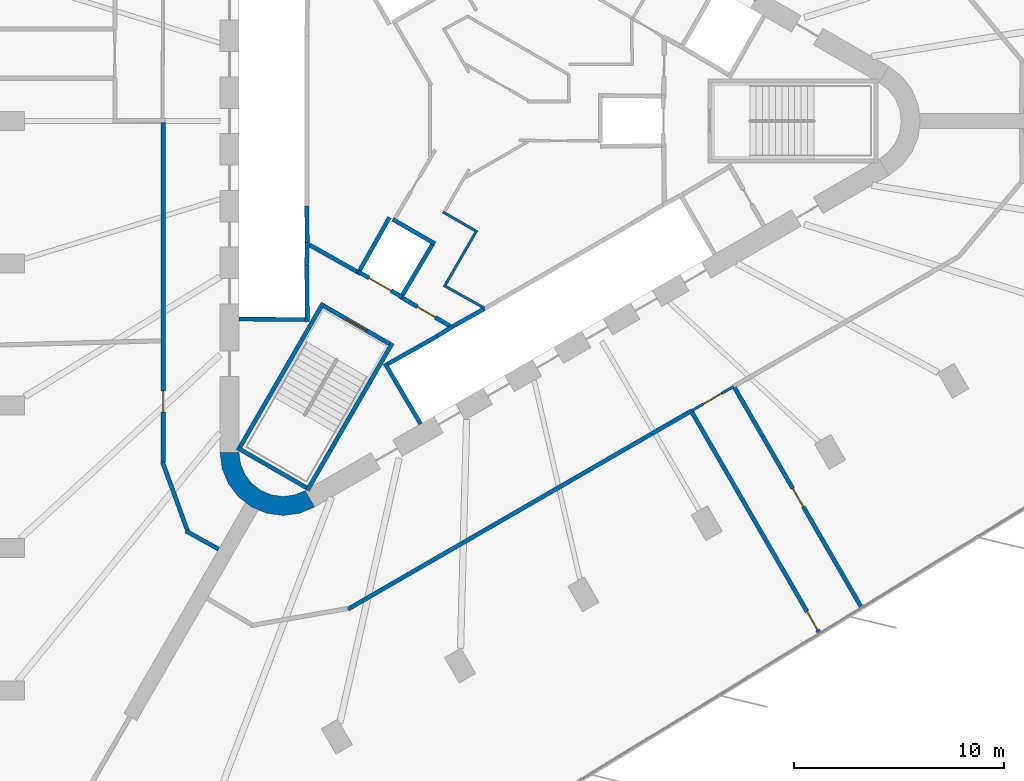
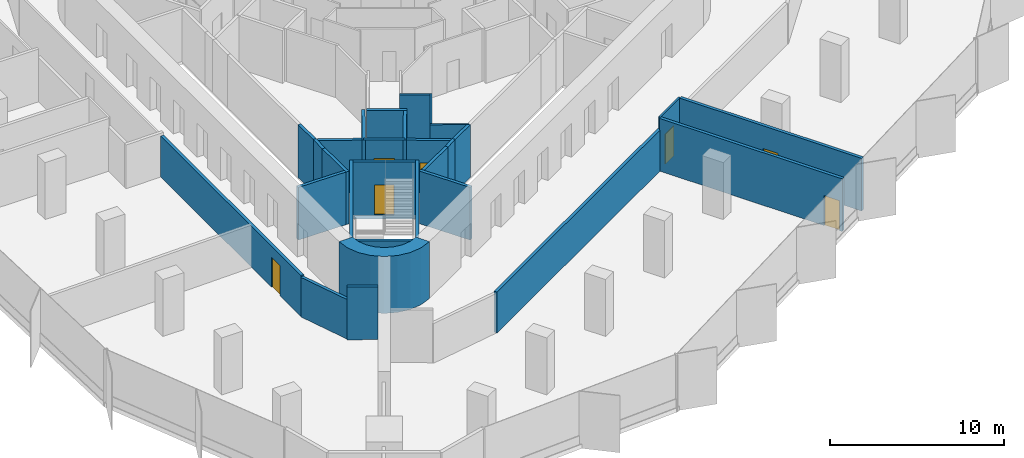
# One storey, part 8 of 14: 29 walls, 7 doors, 7 openings.
"""IFC4 building model written with IfcOpenShell, lengths in metres."""

from ifc_helpers import new_model, si_unit, direction, frame, frame_2d, origin, place, context, subcontext, project, spatial, polyline, rectangle, outline, extrude, material, layer, layer_set, type_object, element, fill, save


model = new_model("IFC4")

# Units and contexts
model_context = context("Model", 3, precision=1e-05, world=origin(), true_north=direction((0.0, 1.0)))
body_context = subcontext(model_context, "Body", "Model", "MODEL_VIEW")
ifc_project = project(units=[si_unit("LENGTHUNIT", "METRE"), si_unit("AREAUNIT", "SQUARE_METRE"), si_unit("VOLUMEUNIT", "CUBIC_METRE"), si_unit("PLANEANGLEUNIT", "RADIAN"), si_unit("MASSUNIT", "GRAM", prefix="KILO")], contexts=[model_context])

# Site, building, storey
site_placement = place(None, origin())
site = spatial("IfcSite", under=ifc_project, at=site_placement, CompositionType="ELEMENT")
building_placement = place(site_placement, origin())
building = spatial("IfcBuilding", under=site, at=building_placement, Name="Tanit Gate Tower", CompositionType="ELEMENT")
storey_placement = place(building_placement, frame((0.0, 0.0, 221.199951171875)))
storey = spatial("IfcBuildingStorey", under=building, at=storey_placement, Name="L49", CompositionType="ELEMENT", Elevation=221.199951171875)

# Walls
ifc_material_1 = material(Name="Concrete C50/60", Category="concrete")
ifc_layer_1 = layer(ifc_material_1, 0.89990234375)
ifc_layer_set_1 = layer_set([ifc_layer_1], Name="CORE WALL 900 C50/60")
wall_type_1 = type_object("IfcWallType", Name="CORE WALL 900 C50/60", PredefinedType="SHEAR", material=ifc_layer_set_1)
wall_1_placement = place(storey_placement, origin())
element("IfcWall", 1, at=wall_1_placement, inside=storey, type_object=wall_type_1, Name="CORE WALL CORNER", PredefinedType="SHEAR", context=body_context, shape_type="SweptSolid", body=[
    extrude(outline(polyline([(-12.10009765625, -15.76171875), (-11.997802734375, -16.5380859375), (-11.697998046875, -17.26171875), (-11.22119140625, -17.883056640625), (-10.60009765625, -18.359619140625), (-9.87646484375, -18.659423828125), (-9.10009765625, -18.76171875), (-8.323486328125, -18.659423828125), (-7.60009765625, -18.359619140625), (-8.050048828125, -17.580322265625), (-8.556396484375, -17.7900390625), (-9.10009765625, -17.86181640625), (-9.6435546875, -17.7900390625), (-10.14990234375, -17.580322265625), (-10.5849609375, -17.24658203125), (-10.918701171875, -16.811767578125), (-11.12841796875, -16.30517578125), (-11.199951171875, -15.76171875), (-12.10009765625, -15.76171875)])), origin(), (0.0, 0.0, 1.0), 4.0),
])
ifc_material_2 = material(Name="Fire-rated gypsum board partition")
ifc_layer_2 = layer(ifc_material_2, 0.199951171875)
ifc_layer_set_2 = layer_set([ifc_layer_2], Name="INT-WALL-COMPARTMENT")
wall_type_2 = type_object("IfcWallType", Name="INT-WALL-COMPARTMENT", PredefinedType="PARTITIONING", material=ifc_layer_set_2)
wall_2_placement = place(storey_placement, frame((-7.84912109375, -5.893798828125, 0.0), z_axis=(0.0, 0.0, 1.0), x_axis=(0.871340486379, -0.490678873396, 0.0)))
element("IfcWall", 2, at=wall_2_placement, inside=storey, type_object=wall_type_2, Name="Wall Compartment W064", PredefinedType="PARTITIONING", context=body_context, shape_type="SweptSolid", body=[
    extrude(rectangle(XDim=2.580810546875, YDim=0.199951171875, at=frame_2d((1.29052734375, 0.0))), origin(), (0.0, 0.0, 1.0), 3.699951171875),
])

# Wall, opening, door
wall_3_placement = place(storey_placement, frame((-3.400634765625, -8.43017578125, 0.0), z_axis=(0.0, 0.0, 1.0), x_axis=(0.860598681535, -0.509283721849, 0.0)))
wall_3 = element("IfcWall", 3, at=wall_3_placement, inside=storey, type_object=wall_type_2, Name="Wall Compartment W065", PredefinedType="PARTITIONING", context=body_context, shape_type="SweptSolid", body=[
    extrude(rectangle(XDim=2.5810546875, YDim=0.199951171875, at=frame_2d((1.29052734375, 0.0))), origin(), (0.0, 0.0, 1.0), 3.699951171875),
])
opening_1_placement = place(wall_3_placement, frame((0.79052734375, 0.0, 0.0)))
opening_1 = element("IfcOpeningElement", 4, at=opening_1_placement, cuts=wall_3, Name="Opening F10-S13-08", PredefinedType="OPENING", context=body_context, shape_type="SweptSolid", body=[
    extrude(rectangle(XDim=1.0, YDim=2.10009765625, at=frame_2d((0.5, 1.050048828125))), frame((0.0, 0.10986328125, 0.0), z_axis=(0.0, -1.0, 0.0), x_axis=(1.0, 0.0, 0.0)), (0.0, 0.0, 1.0), 0.219970703125),
])
ifc_material_3 = material(Name="Fire-rated steel door leaf", Category="steel")
door_type_1 = type_object("IfcDoorType", Name="INT-DOOR-FIRE-1000", OperationType="NOTDEFINED", PredefinedType="USERDEFINED", material=ifc_material_3)
door_1_placement = place(opening_1_placement, origin())
door_1 = element("IfcDoor", 5, at=door_1_placement, inside=storey, type_object=door_type_1, Name="Door F10-S13-08", ObjectType="FIRE DOOR", OperationType="SINGLE_SWING_LEFT", OverallHeight=2.10009765625, OverallWidth=1.0, PredefinedType="USERDEFINED", context=body_context, shape_type="SweptSolid", body=[
    extrude(rectangle(XDim=1.0, YDim=2.10009765625, at=frame_2d((0.5, 1.050048828125))), frame((0.0, 0.02490234375, 0.0), z_axis=(0.0, -1.0, 0.0), x_axis=(1.0, 0.0, 0.0)), (0.0, 0.0, 1.0), 0.050048828125),
])
fill(opening_1, door_1)

# Walls
wall_4_placement = place(storey_placement, frame((-13.722412109375, -19.499267578125, 0.0), z_axis=(0.0, 0.0, 1.0), x_axis=(0.873381780332, -0.487036205824, 0.0)))
element("IfcWall", 6, at=wall_4_placement, inside=storey, type_object=wall_type_2, Name="Wall Compartment W097", PredefinedType="PARTITIONING", context=body_context, shape_type="SweptSolid", body=[
    extrude(rectangle(XDim=1.78466796875, YDim=0.199951171875, at=frame_2d((0.892333984375, 0.0))), origin(), (0.0, 0.0, 1.0), 3.699951171875),
])
wall_5_placement = place(storey_placement, frame((-14.834228515625, -16.22314453125, 0.0), z_axis=(0.0, 0.0, 1.0), x_axis=(0.342017717312, -0.939693503779, 0.0)))
element("IfcWall", 7, at=wall_5_placement, inside=storey, type_object=wall_type_2, Name="Wall Compartment W098", PredefinedType="PARTITIONING", context=body_context, shape_type="SweptSolid", body=[
    extrude(rectangle(XDim=3.4970703125, YDim=0.199951171875, at=frame_2d((1.74853515625, 0.0))), origin(), (0.0, 0.0, 1.0), 2.780029296875),
])

# Wall, opening, door
wall_6_placement = place(storey_placement, frame((-14.800048828125, -0.070068359375, 0.0), z_axis=(0.0, 0.0, 1.0), x_axis=(0.0, -1.0, 0.0)))
wall_6 = element("IfcWall", 8, at=wall_6_placement, inside=storey, type_object=wall_type_2, Name="Wall Compartment W100", PredefinedType="PARTITIONING", context=body_context, shape_type="SweptSolid", body=[
    extrude(rectangle(XDim=16.14697265625, YDim=0.199951171875, at=frame_2d((8.073486328125, 0.0))), origin(), (0.0, 0.0, 1.0), 2.880126953125),
])
opening_2_placement = place(wall_6_placement, frame((12.765380859375, 0.0, 0.0)))
opening_2 = element("IfcOpeningElement", 9, at=opening_2_placement, cuts=wall_6, Name="Opening F10-S13-26", PredefinedType="OPENING", context=body_context, shape_type="SweptSolid", body=[
    extrude(rectangle(XDim=1.0, YDim=2.10009765625, at=frame_2d((0.5, 1.050048828125))), frame((0.0, 0.10986328125, 0.0), z_axis=(0.0, -1.0, 0.0), x_axis=(1.0, 0.0, 0.0)), (0.0, 0.0, 1.0), 0.219970703125),
])
door_2_placement = place(opening_2_placement, origin())
door_2 = element("IfcDoor", 10, at=door_2_placement, inside=storey, type_object=door_type_1, Name="Door F10-S13-26", ObjectType="FIRE DOOR", OperationType="SINGLE_SWING_RIGHT", OverallHeight=2.10009765625, OverallWidth=1.0, PredefinedType="USERDEFINED", context=body_context, shape_type="SweptSolid", body=[
    extrude(rectangle(XDim=1.0, YDim=2.10009765625, at=frame_2d((0.5, 1.050048828125))), frame((0.0, 0.02490234375, 0.0), z_axis=(0.0, -1.0, 0.0), x_axis=(1.0, 0.0, 0.0)), (0.0, 0.0, 1.0), 0.050048828125),
])
fill(opening_2, door_2)

# Wall
wall_7_placement = place(storey_placement, frame((-6.018798828125, -23.220458984375, 0.0), z_axis=(0.0, 0.0, 1.0), x_axis=(0.86602143297, 0.50000687759, 0.0)))
element("IfcWall", 11, at=wall_7_placement, inside=storey, type_object=wall_type_2, Name="Wall Compartment W113", PredefinedType="PARTITIONING", context=body_context, shape_type="SweptSolid", body=[
    extrude(rectangle(XDim=18.872802734375, YDim=0.199951171875, at=frame_2d((9.4365234375, 0.0))), origin(), (0.0, 0.0, 1.0), 2.880126953125),
])

# Wall, opening, door
wall_8_placement = place(storey_placement, frame((18.41162109375, -23.149658203125, 0.0), z_axis=(0.0, 0.0, 1.0), x_axis=(-0.500010196161, 0.866019516948, 0.0)))
wall_8 = element("IfcWall", 12, at=wall_8_placement, inside=storey, type_object=wall_type_2, Name="Wall Compartment W134", PredefinedType="PARTITIONING", context=body_context, shape_type="SweptSolid", body=[
    extrude(rectangle(XDim=12.093994140625, YDim=0.199951171875, at=frame_2d((6.046875, 0.0))), origin(), (0.0, 0.0, 1.0), 3.699951171875),
])
opening_3_placement = place(wall_8_placement, frame((5.547119140625, 0.0, 0.0)))
opening_3 = element("IfcOpeningElement", 13, at=opening_3_placement, cuts=wall_8, Name="Opening F10-S13-32", PredefinedType="OPENING", context=body_context, shape_type="SweptSolid", body=[
    extrude(rectangle(XDim=1.0, YDim=2.10009765625, at=frame_2d((0.5, 1.050048828125))), frame((0.0, 0.10986328125, 0.0), z_axis=(0.0, -1.0, 0.0), x_axis=(1.0, 0.0, 0.0)), (0.0, 0.0, 1.0), 0.219970703125),
])
door_3_placement = place(opening_3_placement, origin())
door_3 = element("IfcDoor", 14, at=door_3_placement, inside=storey, type_object=door_type_1, Name="Door F10-S13-32", ObjectType="FIRE DOOR", OperationType="SINGLE_SWING_LEFT", OverallHeight=2.10009765625, OverallWidth=1.0, PredefinedType="USERDEFINED", context=body_context, shape_type="SweptSolid", body=[
    extrude(rectangle(XDim=1.0, YDim=2.10009765625, at=frame_2d((0.5, 1.050048828125))), frame((0.0, 0.02490234375, 0.0), z_axis=(0.0, -1.0, 0.0), x_axis=(1.0, 0.0, 0.0)), (0.0, 0.0, 1.0), 0.050048828125),
])
fill(opening_3, door_3)

wall_9_placement = place(storey_placement, frame((10.338134765625, -13.845947265625, 0.0), z_axis=(0.0, 0.0, 1.0), x_axis=(0.499990787361, -0.866030722639, 0.0)))
wall_9 = element("IfcWall", 15, at=wall_9_placement, inside=storey, type_object=wall_type_2, Name="Wall Compartment W135", PredefinedType="PARTITIONING", context=body_context, shape_type="SweptSolid", body=[
    extrude(rectangle(XDim=12.155029296875, YDim=0.199951171875, at=frame_2d((6.07763671875, 0.0))), origin(), (0.0, 0.0, 1.0), 3.699951171875),
])
opening_4_placement = place(wall_9_placement, frame((10.955078125, 0.0, 0.0)))
opening_4 = element("IfcOpeningElement", 16, at=opening_4_placement, cuts=wall_9, Name="Opening F10-S13-33", PredefinedType="OPENING", context=body_context, shape_type="SweptSolid", body=[
    extrude(rectangle(XDim=1.0, YDim=2.10009765625, at=frame_2d((0.5, 1.050048828125))), frame((0.0, 0.10986328125, 0.0), z_axis=(0.0, -1.0, 0.0), x_axis=(1.0, 0.0, 0.0)), (0.0, 0.0, 1.0), 0.219970703125),
])
door_4_placement = place(opening_4_placement, origin())
door_4 = element("IfcDoor", 17, at=door_4_placement, inside=storey, type_object=door_type_1, Name="Door F10-S13-33", ObjectType="FIRE DOOR", OperationType="SINGLE_SWING_RIGHT", OverallHeight=2.10009765625, OverallWidth=1.0, PredefinedType="USERDEFINED", context=body_context, shape_type="SweptSolid", body=[
    extrude(rectangle(XDim=1.0, YDim=2.10009765625, at=frame_2d((0.5, 1.050048828125))), frame((0.0, 0.02490234375, 0.0), z_axis=(0.0, -1.0, 0.0), x_axis=(1.0, 0.0, 0.0)), (0.0, 0.0, 1.0), 0.050048828125),
])
fill(opening_4, door_4)

# Walls
ifc_material_4 = material(Name="Gypsum board partition")
ifc_layer_3 = layer(ifc_material_4, 0.1201171875)
ifc_layer_set_3 = layer_set([ifc_layer_3], Name="INT-WALL-PARTITION")
wall_type_3 = type_object("IfcWallType", Name="INT-WALL-PARTITION", PredefinedType="PARTITIONING", material=ifc_layer_set_3)
wall_10_placement = place(storey_placement, frame((-1.464111328125, -7.81591796875, 0.0), z_axis=(0.0, 0.0, 1.0), x_axis=(0.871880202732, -0.489719217597, 0.0)))
element("IfcWall", 18, at=wall_10_placement, inside=storey, type_object=wall_type_3, Name="Wall Partition W069", PredefinedType="PARTITIONING", context=body_context, shape_type="SweptSolid", body=[
    extrude(rectangle(XDim=2.224365234375, YDim=0.1201171875, at=frame_2d((1.1123046875, 0.0))), origin(), (0.0, 0.0, 1.0), 3.699951171875),
])
wall_11_placement = place(storey_placement, frame((0.1181640625, -5.195068359375, 0.0), z_axis=(0.0, 0.0, 1.0), x_axis=(-0.499990139034, -0.866031096941, 0.0)))
element("IfcWall", 19, at=wall_11_placement, inside=storey, type_object=wall_type_3, Name="Wall Partition W070", PredefinedType="PARTITIONING", context=body_context, shape_type="SweptSolid", body=[
    extrude(rectangle(XDim=3.0, YDim=0.1201171875, at=frame_2d((1.5, 0.0))), origin(), (0.0, 0.0, 1.0), 3.699951171875),
])
wall_12_placement = place(storey_placement, frame((-1.5009765625, -4.32958984375, 0.0), z_axis=(0.0, 0.0, 1.0), x_axis=(0.866059624469, -0.499940723351, 0.0)))
element("IfcWall", 20, at=wall_12_placement, inside=storey, type_object=wall_type_3, Name="Wall Partition W071", PredefinedType="PARTITIONING", context=body_context, shape_type="SweptSolid", body=[
    extrude(rectangle(XDim=1.775146484375, YDim=0.1201171875, at=frame_2d((0.8876953125, 0.0))), origin(), (0.0, 0.0, 1.0), 3.699951171875),
])

# Wall, opening, door
wall_13_placement = place(storey_placement, frame((12.317138671875, -12.634033203125, 0.0), z_axis=(0.0, 0.0, 1.0), x_axis=(-0.86602648383, -0.499998129301, 0.0)))
wall_13 = element("IfcWall", 21, at=wall_13_placement, inside=storey, type_object=wall_type_3, Name="Wall Partition W109", PredefinedType="PARTITIONING", context=body_context, shape_type="SweptSolid", body=[
    extrude(rectangle(XDim=2.2998046875, YDim=0.1201171875, at=frame_2d((1.14990234375, 0.0))), origin(), (0.0, 0.0, 1.0), 3.699951171875),
])
opening_5_placement = place(wall_13_placement, frame((0.64990234375, 0.0, 0.0)))
opening_5 = element("IfcOpeningElement", 22, at=opening_5_placement, cuts=wall_13, Name="Opening D10-S13-21", PredefinedType="OPENING", context=body_context, shape_type="SweptSolid", body=[
    extrude(rectangle(XDim=1.0, YDim=2.10009765625, at=frame_2d((0.5, 1.050048828125))), frame((0.0, 0.070068359375, 0.0), z_axis=(0.0, -1.0, 0.0), x_axis=(1.0, 0.0, 0.0)), (0.0, 0.0, 1.0), 0.14013671875),
])
ifc_material_5 = material(Name="Timber door leaf", Category="wood")
door_type_2 = type_object("IfcDoorType", Name="INT-DOOR-SINGLE-1000", OperationType="NOTDEFINED", PredefinedType="NOTDEFINED", material=ifc_material_5)
door_5_placement = place(opening_5_placement, origin())
door_5 = element("IfcDoor", 23, at=door_5_placement, inside=storey, type_object=door_type_2, Name="Door D10-S13-21", OperationType="SINGLE_SWING_LEFT", OverallHeight=2.10009765625, OverallWidth=1.0, PredefinedType="NOTDEFINED", context=body_context, shape_type="SweptSolid", body=[
    extrude(rectangle(XDim=1.0, YDim=2.10009765625, at=frame_2d((0.5, 1.050048828125))), frame((0.0, 0.02490234375, 0.0), z_axis=(0.0, -1.0, 0.0), x_axis=(1.0, 0.0, 0.0)), (0.0, 0.0, 1.0), 0.050048828125),
])
fill(opening_5, door_5)

# Walls
ifc_material_6 = material(Name="Gypsum shaft wall system")
ifc_layer_4 = layer(ifc_material_6, 0.199951171875)
ifc_layer_set_4 = layer_set([ifc_layer_4], Name="INT-WALL-SHAFT")
wall_type_4 = type_object("IfcWallType", Name="INT-WALL-SHAFT", PredefinedType="PLUMBINGWALL", material=ifc_layer_set_4)
wall_14_placement = place(storey_placement, frame((-7.949951171875, -5.7724609375, 0.0), z_axis=(0.0, 0.0, 1.0), x_axis=(-0.030803413295, -0.999525462272, 0.0)))
element("IfcWall", 24, at=wall_14_placement, inside=storey, type_object=wall_type_4, Name="Wall Shaft W008", PredefinedType="PLUMBINGWALL", context=body_context, shape_type="SweptSolid", body=[
    extrude(rectangle(XDim=1.077880859375, YDim=0.199951171875, at=frame_2d((0.5390625, 0.0))), origin(), (0.0, 0.0, 1.0), 3.699951171875),
])
wall_15_placement = place(storey_placement, frame((-7.97998046875, -4.050048828125, 0.0), z_axis=(0.0, 0.0, 1.0), x_axis=(0.016809909365, -0.999858703491, 0.0)))
element("IfcWall", 25, at=wall_15_placement, inside=storey, type_object=wall_type_4, Name="Wall Shaft W009", PredefinedType="PLUMBINGWALL", context=body_context, shape_type="SweptSolid", body=[
    extrude(rectangle(XDim=1.844482421875, YDim=0.199951171875, at=frame_2d((0.92236328125, 0.0))), origin(), (0.0, 0.0, 1.0), 3.699951171875),
])
wall_16_placement = place(storey_placement, frame((-7.97900390625, -6.85009765625, 0.0), z_axis=(0.0, 0.0, 1.0), x_axis=(0.011121475088, -0.999938154483, 0.0)))
element("IfcWall", 26, at=wall_16_placement, inside=storey, type_object=wall_type_4, Name="Wall Shaft W010", PredefinedType="PLUMBINGWALL", context=body_context, shape_type="SweptSolid", body=[
    extrude(rectangle(XDim=2.7001953125, YDim=0.199951171875, at=frame_2d((1.35009765625, 0.0))), origin(), (0.0, 0.0, 1.0), 3.699951171875),
])
wall_17_placement = place(storey_placement, frame((-8.050048828125, -9.448974609375, 0.0), z_axis=(0.0, 0.0, 1.0), x_axis=(-0.999957467379, 0.009222983926, 0.0)))
element("IfcWall", 27, at=wall_17_placement, inside=storey, type_object=wall_type_4, Name="Wall Shaft W011", PredefinedType="PLUMBINGWALL", context=body_context, shape_type="SweptSolid", body=[
    extrude(rectangle(XDim=3.150146484375, YDim=0.199951171875, at=frame_2d((1.5751953125, 0.0))), origin(), (0.0, 0.0, 1.0), 3.699951171875),
])
wall_18_placement = place(storey_placement, frame((-2.557861328125, -14.409423828125, 0.0), z_axis=(0.0, 0.0, 1.0), x_axis=(-0.507997497166, 0.861358544901, 0.0)))
element("IfcWall", 28, at=wall_18_placement, inside=storey, type_object=wall_type_4, Name="Wall Shaft W019", PredefinedType="PLUMBINGWALL", context=body_context, shape_type="SweptSolid", body=[
    extrude(rectangle(XDim=3.350341796875, YDim=0.199951171875, at=frame_2d((1.67529296875, 0.0))), origin(), (0.0, 0.0, 1.0), 3.699951171875),
])
wall_19_placement = place(storey_placement, frame((-1.7685546875, -10.23681640625, 0.0), z_axis=(0.0, 0.0, 1.0), x_axis=(-0.871534483978, -0.490334215854, 0.0)))
element("IfcWall", 29, at=wall_19_placement, inside=storey, type_object=wall_type_4, Name="Wall Shaft W020", PredefinedType="PLUMBINGWALL", context=body_context, shape_type="SweptSolid", body=[
    extrude(rectangle(XDim=2.7001953125, YDim=0.199951171875, at=frame_2d((1.35009765625, 0.0))), origin(), (0.0, 0.0, 1.0), 3.699951171875),
])
wall_20_placement = place(storey_placement, frame((-1.02392578125, -9.77099609375, 0.0), z_axis=(0.0, 0.0, 1.0), x_axis=(-0.850348075135, -0.526220629693, 0.0)))
element("IfcWall", 30, at=wall_20_placement, inside=storey, type_object=wall_type_4, Name="Wall Shaft W021", PredefinedType="PLUMBINGWALL", context=body_context, shape_type="SweptSolid", body=[
    extrude(rectangle(XDim=0.878173828125, YDim=0.199951171875, at=frame_2d((0.43896484375, 0.0))), origin(), (0.0, 0.0, 1.0), 3.699951171875),
])
wall_21_placement = place(storey_placement, frame((-1.13037109375, -9.83154296875, 0.0), z_axis=(0.0, 0.0, 1.0), x_axis=(0.871988740738, 0.489525929882, 0.0)))
element("IfcWall", 31, at=wall_21_placement, inside=storey, type_object=wall_type_4, Name="Wall Shaft W022", PredefinedType="PLUMBINGWALL", context=body_context, shape_type="SweptSolid", body=[
    extrude(rectangle(XDim=1.8447265625, YDim=0.199951171875, at=frame_2d((0.92236328125, 0.0))), origin(), (0.0, 0.0, 1.0), 3.699951171875),
])

# Wall, opening, door
wall_22_placement = place(storey_placement, frame((-3.44580078125, -8.3681640625, 0.0), z_axis=(0.0, 0.0, 1.0), x_axis=(-0.866024647952, 0.500001309137, 0.0)))
wall_22 = element("IfcWall", 32, at=wall_22_placement, inside=storey, type_object=wall_type_4, Name="Wall Shaft W045", PredefinedType="PLUMBINGWALL", context=body_context, shape_type="SweptSolid", body=[
    extrude(rectangle(XDim=2.39990234375, YDim=0.199951171875, at=frame_2d((1.199951171875, 0.0))), origin(), (0.0, 0.0, 1.0), 3.699951171875),
])
opening_6_placement = place(wall_22_placement, frame((0.60009765625, 0.0, 0.0)))
opening_6 = element("IfcOpeningElement", 33, at=opening_6_placement, cuts=wall_22, Name="Opening LDFL3-L49", PredefinedType="OPENING", context=body_context, shape_type="SweptSolid", body=[
    extrude(rectangle(XDim=1.199951171875, YDim=2.39990234375, at=frame_2d((0.60009765625, 1.199951171875))), frame((0.0, 0.10986328125, 0.0), z_axis=(0.0, -1.0, 0.0), x_axis=(1.0, 0.0, 0.0)), (0.0, 0.0, 1.0), 0.219970703125),
])
ifc_material_7 = material(Name="Stainless steel sliding door leaf", Category="steel")
door_type_3 = type_object("IfcDoorType", Name="INT-DOOR-LANDING-1200", OperationType="NOTDEFINED", PredefinedType="USERDEFINED", material=ifc_material_7)
door_6_placement = place(opening_6_placement, origin())
door_6 = element("IfcDoor", 34, at=door_6_placement, inside=storey, type_object=door_type_3, Name="Door LDFL3-L49", ObjectType="LANDING DOOR", OperationType="SLIDING_TO_LEFT", OverallHeight=2.39990234375, OverallWidth=1.199951171875, PredefinedType="USERDEFINED", context=body_context, shape_type="SweptSolid", body=[
    extrude(rectangle(XDim=1.199951171875, YDim=2.39990234375, at=frame_2d((0.60009765625, 1.199951171875))), frame((0.0, 0.02490234375, 0.0), z_axis=(0.0, -1.0, 0.0), x_axis=(1.0, 0.0, 0.0)), (0.0, 0.0, 1.0), 0.050048828125),
])
fill(opening_6, door_6)

# Walls
wall_23_placement = place(storey_placement, frame((-5.5625, -7.29638671875, 0.0), z_axis=(0.0, 0.0, 1.0), x_axis=(0.491322718731, 0.870977603649, 0.0)))
element("IfcWall", 35, at=wall_23_placement, inside=storey, type_object=wall_type_4, Name="Wall Shaft W046", PredefinedType="PLUMBINGWALL", context=body_context, shape_type="SweptSolid", body=[
    extrude(rectangle(XDim=3.10009765625, YDim=0.199951171875, at=frame_2d((1.550048828125, 0.0))), origin(), (0.0, 0.0, 1.0), 3.699951171875),
])
wall_24_placement = place(storey_placement, frame((-3.8916015625, -4.681396484375, 0.0), z_axis=(0.0, 0.0, 1.0), x_axis=(0.866009305107, -0.50002788269, 0.0)))
element("IfcWall", 36, at=wall_24_placement, inside=storey, type_object=wall_type_4, Name="Wall Shaft W047", PredefinedType="PLUMBINGWALL", context=body_context, shape_type="SweptSolid", body=[
    extrude(rectangle(XDim=2.329345703125, YDim=0.199951171875, at=frame_2d((1.16455078125, 0.0))), origin(), (0.0, 0.0, 1.0), 3.699951171875),
])
wall_25_placement = place(storey_placement, frame((-2.01171875, -5.88232421875, 0.0), z_axis=(0.0, 0.0, 1.0), x_axis=(-0.508619639323, -0.860991325447, 0.0)))
element("IfcWall", 37, at=wall_25_placement, inside=storey, type_object=wall_type_4, Name="Wall Shaft W048", PredefinedType="PLUMBINGWALL", context=body_context, shape_type="SweptSolid", body=[
    extrude(rectangle(XDim=3.0, YDim=0.199951171875, at=frame_2d((1.5, 0.0))), origin(), (0.0, 0.0, 1.0), 3.699951171875),
])
ifc_material_8 = material(Name="Concrete C40/50", Category="concrete")
ifc_layer_5 = layer(ifc_material_8, 0.199951171875)
ifc_layer_set_5 = layer_set([ifc_layer_5], Name="INT-WALL-STAIR")
wall_type_5 = type_object("IfcWallType", Name="INT-WALL-STAIR", PredefinedType="SHEAR", material=ifc_layer_set_5)
wall_26_placement = place(storey_placement, frame((-3.904541015625, -10.56298828125, -0.300048828125), z_axis=(0.0, 0.0, 1.0), x_axis=(-0.500012932018, -0.866017937352, 0.0)))
element("IfcWall", 38, at=wall_26_placement, inside=storey, type_object=wall_type_5, Name="Wall Stair W041", PredefinedType="SHEAR", context=body_context, shape_type="SweptSolid", body=[
    extrude(rectangle(XDim=8.099853515625, YDim=0.199951171875, at=frame_2d((4.0498046875, 0.0))), origin(), (0.0, 0.0, 1.0), 4.0),
])
wall_27_placement = place(storey_placement, frame((-11.281982421875, -15.541015625, -0.300048828125), z_axis=(0.0, 0.0, 1.0), x_axis=(0.866000483506, -0.500043160704, 0.0)))
element("IfcWall", 39, at=wall_27_placement, inside=storey, type_object=wall_type_5, Name="Wall Stair W042", PredefinedType="SHEAR", context=body_context, shape_type="SweptSolid", body=[
    extrude(rectangle(XDim=3.800048828125, YDim=0.199951171875, at=frame_2d((1.89990234375, 0.0))), origin(), (0.0, 0.0, 1.0), 4.0),
])
wall_28_placement = place(storey_placement, frame((-7.195556640625, -8.662841796875, -0.300048828125), z_axis=(0.0, 0.0, 1.0), x_axis=(-0.499997992926, -0.866026562566, 0.0)))
element("IfcWall", 40, at=wall_28_placement, inside=storey, type_object=wall_type_5, Name="Wall Stair W043", PredefinedType="SHEAR", context=body_context, shape_type="SweptSolid", body=[
    extrude(rectangle(XDim=7.89990234375, YDim=0.199951171875, at=frame_2d((3.949951171875, 0.0))), origin(), (0.0, 0.0, 1.0), 4.0),
])

# Wall, opening, door
wall_29_placement = place(storey_placement, frame((-4.041259765625, -10.599365234375, -0.300048828125), z_axis=(0.0, 0.0, 1.0), x_axis=(-0.866047807691, 0.499961193289, 0.0)))
wall_29 = element("IfcWall", 41, at=wall_29_placement, inside=storey, type_object=wall_type_5, Name="Wall Stair W044", PredefinedType="SHEAR", context=body_context, shape_type="SweptSolid", body=[
    extrude(rectangle(XDim=3.599853515625, YDim=0.199951171875, at=frame_2d((1.7998046875, 0.0))), origin(), (0.0, 0.0, 1.0), 4.0),
])
opening_7_placement = place(wall_29_placement, frame((1.25, 0.0, 0.300048828125)))
opening_7 = element("IfcOpeningElement", 42, at=opening_7_placement, cuts=wall_29, Name="Opening S11-S13-07", PredefinedType="OPENING", context=body_context, shape_type="SweptSolid", body=[
    extrude(rectangle(XDim=1.10009765625, YDim=2.10009765625, at=frame_2d((0.550048828125, 1.050048828125))), frame((0.0, 0.10986328125, 0.0), z_axis=(0.0, -1.0, 0.0), x_axis=(1.0, 0.0, 0.0)), (0.0, 0.0, 1.0), 0.219970703125),
])
ifc_material_9 = material(Name="Timber door leaf", Category="wood")
door_type_4 = type_object("IfcDoorType", Name="INT-DOOR-STAIR-1100", OperationType="NOTDEFINED", PredefinedType="USERDEFINED", material=ifc_material_9)
door_7_placement = place(opening_7_placement, origin())
door_7 = element("IfcDoor", 43, at=door_7_placement, inside=storey, type_object=door_type_4, Name="Door S11-S13-07", ObjectType="FIRE DOOR", OperationType="SINGLE_SWING_RIGHT", OverallHeight=2.10009765625, OverallWidth=1.10009765625, PredefinedType="USERDEFINED", context=body_context, shape_type="SweptSolid", body=[
    extrude(rectangle(XDim=1.10009765625, YDim=2.10009765625, at=frame_2d((0.550048828125, 1.050048828125))), frame((0.0, 0.02490234375, 0.0), z_axis=(0.0, -1.0, 0.0), x_axis=(1.0, 0.0, 0.0)), (0.0, 0.0, 1.0), 0.050048828125),
])
fill(opening_7, door_7)

save(model, "model.ifc")
